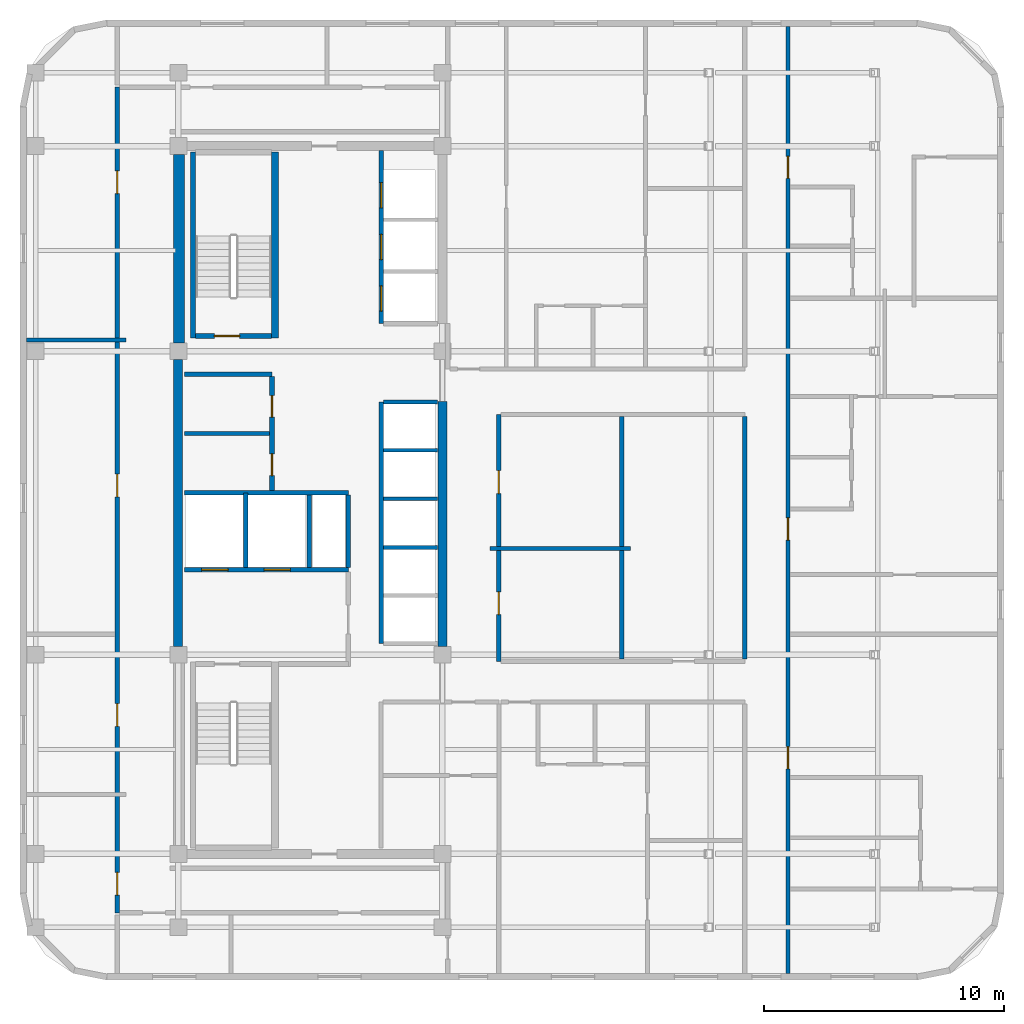
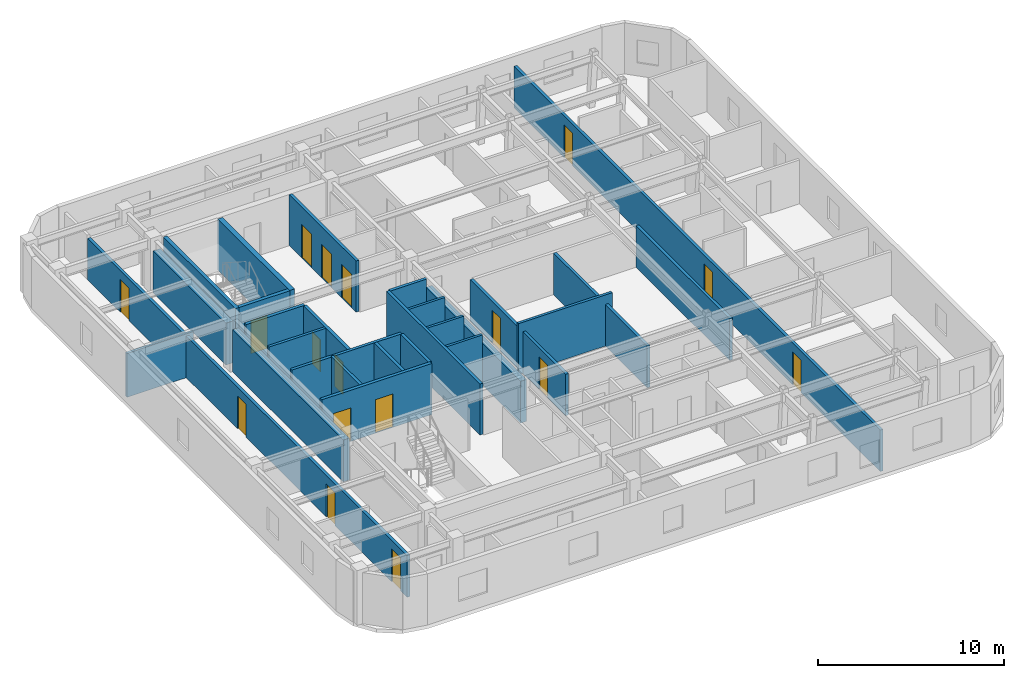
# One storey, part 4 of 8: 27 walls, 17 doors, 17 openings.
"""IFC4 building model written with IfcOpenShell, lengths in metres."""

from ifc_helpers import new_model, si_unit, direction, frame, frame_2d, origin, place, context, subcontext, project, spatial, rectangle, extrude, material, layer, layer_set, type_object, element, fill, save


model = new_model("IFC4")

# Units and contexts
model_context = context("Model", 3, precision=1e-05, world=origin(), true_north=direction((0.0, 1.0)))
body_context = subcontext(model_context, "Body", "Model", "MODEL_VIEW")
ifc_project = project(units=[si_unit("LENGTHUNIT", "METRE"), si_unit("AREAUNIT", "SQUARE_METRE"), si_unit("VOLUMEUNIT", "CUBIC_METRE"), si_unit("PLANEANGLEUNIT", "RADIAN"), si_unit("MASSUNIT", "GRAM", prefix="KILO")], contexts=[model_context])

# Site, building, storey
site_placement = place(None, origin())
site = spatial("IfcSite", under=ifc_project, at=site_placement, CompositionType="ELEMENT")
building_placement = place(site_placement, origin())
building = spatial("IfcBuilding", under=site, at=building_placement, Name="Ochreholt Gables", CompositionType="ELEMENT")
storey_placement = place(building_placement, frame((0.0, 0.0, 181.199951171875)))
storey = spatial("IfcBuildingStorey", under=building, at=storey_placement, Name="L47", CompositionType="ELEMENT", Elevation=181.199951171875)

# Walls
ifc_material_1 = material(Name="Concrete 50 MPa", Category="concrete")
ifc_layer_1 = layer(ifc_material_1, 0.3798828125, Name="Concrete 50 MPa")
ifc_layer_set_1 = layer_set([ifc_layer_1], Name="Concrete 50 MPa")
wall_type_1 = type_object("IfcWallType", Name="WALL-CSW-380", PredefinedType="SHEAR", material=ifc_layer_set_1)
wall_1_placement = place(storey_placement, frame((24.18994140625, 17.89990234375, 0.0), z_axis=(0.0, 0.0, 1.0), x_axis=(0.0, 1.0, 0.0)))
element("IfcWall", 1, at=wall_1_placement, inside=storey, type_object=wall_type_1, Name="L47 Core West Shear Wall WM", PredefinedType="SHEAR", context=body_context, shape_type="SweptSolid", body=[
    extrude(rectangle(XDim=11.9501953125, YDim=0.3798828125, at=frame_2d((5.97509765625, 0.0))), origin(), (0.0, 0.0, 1.0), 2.748046875),
])
wall_2_placement = place(storey_placement, frame((35.2099609375, 17.89990234375, 0.0), z_axis=(0.0, 0.0, 1.0), x_axis=(0.0, 1.0, 0.0)))
element("IfcWall", 2, at=wall_2_placement, inside=storey, type_object=wall_type_1, Name="L47 Core Central-East Shear Wall", PredefinedType="SHEAR", context=body_context, shape_type="SweptSolid", body=[
    extrude(rectangle(XDim=10.2001953125, YDim=0.3798828125, at=frame_2d((5.10009765625, 0.0))), origin(), (0.0, 0.0, 1.0), 2.748046875),
])
ifc_material_2 = material(Name="Concrete 60 MPa", Category="concrete")
ifc_layer_2 = layer(ifc_material_2, 0.449951171875, Name="Concrete 60 MPa")
ifc_layer_set_2 = layer_set([ifc_layer_2], Name="Concrete 60 MPa")
wall_type_2 = type_object("IfcWallType", Name="WALL-CSW-450", PredefinedType="SHEAR", material=ifc_layer_set_2)
wall_3_placement = place(storey_placement, frame((24.22509765625, 30.550048828125, 0.0), z_axis=(0.0, 0.0, 1.0), x_axis=(0.0, 1.0, 0.0)))
element("IfcWall", 3, at=wall_3_placement, inside=storey, type_object=wall_type_2, Name="L47 Core West Shear Wall WN", PredefinedType="SHEAR", context=body_context, shape_type="SweptSolid", body=[
    extrude(rectangle(XDim=7.849853515625, YDim=0.449951171875, at=frame_2d((3.9248046875, 0.0))), origin(), (0.0, 0.0, 1.0), 2.748046875),
])

# Wall, openings, doors
ifc_material_3 = material(Name="Concrete 40 MPa", Category="concrete")
ifc_layer_3 = layer(ifc_material_3, 0.199951171875, Name="Concrete 40 MPa")
ifc_layer_set_3 = layer_set([ifc_layer_3], Name="Concrete 40 MPa")
wall_type_3 = type_object("IfcWallType", Name="WALL-INT-CF200", PredefinedType="STANDARD", material=ifc_layer_set_3)
wall_4_placement = place(storey_placement, frame((24.449951171875, 21.090087890625, 0.0), z_axis=(0.0, 0.0, 1.0), x_axis=(1.0, 0.0, 0.0)))
wall_4 = element("IfcWall", 4, at=wall_4_placement, inside=storey, type_object=wall_type_3, Name="L47 Interior Wall WI-FFN-L47", PredefinedType="STANDARD", context=body_context, shape_type="SweptSolid", body=[
    extrude(rectangle(XDim=6.830078125, YDim=0.199951171875, at=frame_2d((3.4150390625, 0.0))), origin(), (0.0, 0.0, 1.0), 3.360107421875),
])
opening_1_placement = place(wall_4_placement, frame((0.719970703125, 0.0, 0.0)))
opening_1 = element("IfcOpeningElement", 5, at=opening_1_placement, cuts=wall_4, Name="Opening LD-FF", PredefinedType="OPENING", context=body_context, shape_type="SweptSolid", body=[
    extrude(rectangle(XDim=1.10009765625, YDim=2.199951171875, at=frame_2d((0.550048828125, 1.10009765625))), frame((0.0, 0.10986328125, 0.0), z_axis=(0.0, -1.0, 0.0), x_axis=(1.0, 0.0, 0.0)), (0.0, 0.0, 1.0), 0.219970703125),
])
opening_2_placement = place(wall_4_placement, frame((3.320068359375, 0.0, 0.0)))
opening_2 = element("IfcOpeningElement", 6, at=opening_2_placement, cuts=wall_4, Name="Opening LD-FF", PredefinedType="OPENING", context=body_context, shape_type="SweptSolid", body=[
    extrude(rectangle(XDim=1.10009765625, YDim=2.199951171875, at=frame_2d((0.550048828125, 1.10009765625))), frame((0.0, 0.10986328125, 0.0), z_axis=(0.0, -1.0, 0.0), x_axis=(1.0, 0.0, 0.0)), (0.0, 0.0, 1.0), 0.219970703125),
])
ifc_material_4 = material(Name="Stainless Steel", Category="steel")
door_type_1 = type_object("IfcDoorType", Name="DR-LFT-FF1100", OperationType="NOTDEFINED", PredefinedType="DOOR", material=ifc_material_4)
door_1_placement = place(opening_1_placement, origin())
door_1 = element("IfcDoor", 7, at=door_1_placement, inside=storey, type_object=door_type_1, Name="L47 Door LD-FF1-L47", OperationType="SLIDING_TO_LEFT", OverallHeight=2.199951171875, OverallWidth=1.10009765625, PredefinedType="DOOR", context=body_context, shape_type="SweptSolid", body=[
    extrude(rectangle(XDim=1.10009765625, YDim=2.199951171875, at=frame_2d((0.550048828125, 1.10009765625))), frame((0.0, 0.02490234375, 0.0), z_axis=(0.0, -1.0, 0.0), x_axis=(1.0, 0.0, 0.0)), (0.0, 0.0, 1.0), 0.050048828125),
])
fill(opening_1, door_1)
door_2_placement = place(opening_2_placement, origin())
door_2 = element("IfcDoor", 8, at=door_2_placement, inside=storey, type_object=door_type_1, Name="L47 Door LD-FF2-L47", OperationType="SLIDING_TO_LEFT", OverallHeight=2.199951171875, OverallWidth=1.10009765625, PredefinedType="DOOR", context=body_context, shape_type="SweptSolid", body=[
    extrude(rectangle(XDim=1.10009765625, YDim=2.199951171875, at=frame_2d((0.550048828125, 1.10009765625))), frame((0.0, 0.02490234375, 0.0), z_axis=(0.0, -1.0, 0.0), x_axis=(1.0, 0.0, 0.0)), (0.0, 0.0, 1.0), 0.050048828125),
])
fill(opening_2, door_2)

# Wall
wall_5_placement = place(storey_placement, frame((24.449951171875, 29.239990234375, 0.0), z_axis=(0.0, 0.0, 1.0), x_axis=(1.0, 0.0, 0.0)))
element("IfcWall", 9, at=wall_5_placement, inside=storey, type_object=wall_type_3, Name="L47 Interior Wall WI-SRVN-L47", PredefinedType="STANDARD", context=body_context, shape_type="SweptSolid", body=[
    extrude(rectangle(XDim=3.650146484375, YDim=0.199951171875, at=frame_2d((1.8251953125, 0.0))), origin(), (0.0, 0.0, 1.0), 3.360107421875),
])

# Wall, openings, doors
wall_6_placement = place(storey_placement, frame((28.10009765625, 24.389892578125, 0.0), z_axis=(0.0, 0.0, 1.0), x_axis=(0.0, 1.0, 0.0)))
wall_6 = element("IfcWall", 10, at=wall_6_placement, inside=storey, type_object=wall_type_3, Name="L47 Interior Wall WI-SRVE-L47", PredefinedType="STANDARD", context=body_context, shape_type="SweptSolid", body=[
    extrude(rectangle(XDim=4.75, YDim=0.199951171875, at=frame_2d((2.375, 0.0))), origin(), (0.0, 0.0, 1.0), 3.360107421875),
])
opening_3_placement = place(wall_6_placement, frame((0.6298828125, 0.0, 0.0)))
opening_3 = element("IfcOpeningElement", 11, at=opening_3_placement, cuts=wall_6, Name="Opening D-SV1", PredefinedType="OPENING", context=body_context, shape_type="SweptSolid", body=[
    extrude(rectangle(XDim=0.89990234375, YDim=2.10009765625, at=frame_2d((0.449951171875, 1.050048828125))), frame((0.0, 0.10986328125, 0.0), z_axis=(0.0, -1.0, 0.0), x_axis=(1.0, 0.0, 0.0)), (0.0, 0.0, 1.0), 0.219970703125),
])
opening_4_placement = place(wall_6_placement, frame((3.06005859375, 0.0, 0.0)))
opening_4 = element("IfcOpeningElement", 12, at=opening_4_placement, cuts=wall_6, Name="Opening D-SV1", PredefinedType="OPENING", context=body_context, shape_type="SweptSolid", body=[
    extrude(rectangle(XDim=0.89990234375, YDim=2.10009765625, at=frame_2d((0.449951171875, 1.050048828125))), frame((0.0, 0.10986328125, 0.0), z_axis=(0.0, -1.0, 0.0), x_axis=(1.0, 0.0, 0.0)), (0.0, 0.0, 1.0), 0.219970703125),
])
ifc_material_5 = material(Name="Hollow Metal Steel", Category="steel")
door_type_2 = type_object("IfcDoorType", Name="DR-INT-SRV900", OperationType="NOTDEFINED", PredefinedType="DOOR", material=ifc_material_5)
door_3_placement = place(opening_3_placement, origin())
door_3 = element("IfcDoor", 13, at=door_3_placement, inside=storey, type_object=door_type_2, Name="L47 Door D-SRV1-L47", OperationType="SINGLE_SWING_LEFT", OverallHeight=2.10009765625, OverallWidth=0.89990234375, PredefinedType="DOOR", context=body_context, shape_type="SweptSolid", body=[
    extrude(rectangle(XDim=0.89990234375, YDim=2.10009765625, at=frame_2d((0.449951171875, 1.050048828125))), frame((0.0, 0.02490234375, 0.0), z_axis=(0.0, -1.0, 0.0), x_axis=(1.0, 0.0, 0.0)), (0.0, 0.0, 1.0), 0.050048828125),
])
fill(opening_3, door_3)
door_4_placement = place(opening_4_placement, origin())
door_4 = element("IfcDoor", 14, at=door_4_placement, inside=storey, type_object=door_type_2, Name="L47 Door D-SRV2-L47", OperationType="SINGLE_SWING_RIGHT", OverallHeight=2.10009765625, OverallWidth=0.89990234375, PredefinedType="DOOR", context=body_context, shape_type="SweptSolid", body=[
    extrude(rectangle(XDim=0.89990234375, YDim=2.10009765625, at=frame_2d((0.449951171875, 1.050048828125))), frame((0.0, 0.02490234375, 0.0), z_axis=(0.0, -1.0, 0.0), x_axis=(1.0, 0.0, 0.0)), (0.0, 0.0, 1.0), 0.050048828125),
])
fill(opening_4, door_4)

ifc_material_6 = material(Name="Fire-Rated Gypsum Acoustic Partition", Category="gypsum")
ifc_layer_4 = layer(ifc_material_6, 0.179931640625, Name="Fire-Rated Gypsum Acoustic Partition")
ifc_layer_set_4 = layer_set([ifc_layer_4], Name="Fire-Rated Gypsum Acoustic Partition")
wall_type_4 = type_object("IfcWallType", Name="WALL-INT-CR180", PredefinedType="STANDARD", material=ifc_layer_set_4)
wall_7_placement = place(storey_placement, frame((37.550048828125, 17.280029296875, 0.0), z_axis=(0.0, 0.0, 1.0), x_axis=(0.0, 1.0, 0.0)))
wall_7 = element("IfcWall", 15, at=wall_7_placement, inside=storey, type_object=wall_type_4, Name="L47 Interior Wall WI-C2EM-L47", PredefinedType="STANDARD", context=body_context, shape_type="SweptSolid", body=[
    extrude(rectangle(XDim=10.280029296875, YDim=0.179931640625, at=frame_2d((5.14013671875, 0.0))), origin(), (0.0, 0.0, 1.0), 2.72998046875),
])
opening_5_placement = place(wall_7_placement, frame((1.93994140625, 0.0, 0.0)))
opening_5 = element("IfcOpeningElement", 16, at=opening_5_placement, cuts=wall_7, Name="Opening D-GN1", PredefinedType="OPENING", context=body_context, shape_type="SweptSolid", body=[
    extrude(rectangle(XDim=0.949951171875, YDim=2.14990234375, at=frame_2d((0.47509765625, 1.074951171875))), frame((0.0, 0.099853515625, 0.0), z_axis=(0.0, -1.0, 0.0), x_axis=(1.0, 0.0, 0.0)), (0.0, 0.0, 1.0), 0.199951171875),
])
opening_6_placement = place(wall_7_placement, frame((6.989990234375, 0.0, 0.0)))
opening_6 = element("IfcOpeningElement", 17, at=opening_6_placement, cuts=wall_7, Name="Opening D-GN1", PredefinedType="OPENING", context=body_context, shape_type="SweptSolid", body=[
    extrude(rectangle(XDim=0.949951171875, YDim=2.14990234375, at=frame_2d((0.47509765625, 1.074951171875))), frame((0.0, 0.099853515625, 0.0), z_axis=(0.0, -1.0, 0.0), x_axis=(1.0, 0.0, 0.0)), (0.0, 0.0, 1.0), 0.199951171875),
])
ifc_material_7 = material(Name="Engineered Oak Timber", Category="wood")
door_type_3 = type_object("IfcDoorType", Name="DR-INT-GEN950", OperationType="NOTDEFINED", PredefinedType="DOOR", material=ifc_material_7)
door_5_placement = place(opening_5_placement, origin())
door_5 = element("IfcDoor", 18, at=door_5_placement, inside=storey, type_object=door_type_3, Name="L47 Door D-U-L47M1A-ENT", OperationType="SINGLE_SWING_RIGHT", OverallHeight=2.14990234375, OverallWidth=0.949951171875, PredefinedType="DOOR", context=body_context, shape_type="SweptSolid", body=[
    extrude(rectangle(XDim=0.949951171875, YDim=2.14990234375, at=frame_2d((0.47509765625, 1.074951171875))), frame((0.0, 0.02490234375, 0.0), z_axis=(0.0, -1.0, 0.0), x_axis=(1.0, 0.0, 0.0)), (0.0, 0.0, 1.0), 0.050048828125),
])
fill(opening_5, door_5)
door_6_placement = place(opening_6_placement, origin())
door_6 = element("IfcDoor", 19, at=door_6_placement, inside=storey, type_object=door_type_3, Name="L47 Door D-U-L47M1B-ENT", OperationType="SINGLE_SWING_LEFT", OverallHeight=2.14990234375, OverallWidth=0.949951171875, PredefinedType="DOOR", context=body_context, shape_type="SweptSolid", body=[
    extrude(rectangle(XDim=0.949951171875, YDim=2.14990234375, at=frame_2d((0.47509765625, 1.074951171875))), frame((0.0, 0.02490234375, 0.0), z_axis=(0.0, -1.0, 0.0), x_axis=(1.0, 0.0, 0.0)), (0.0, 0.0, 1.0), 0.050048828125),
])
fill(opening_6, door_6)

wall_8_placement = place(storey_placement, frame((21.64990234375, 6.800048828125, 0.0), z_axis=(0.0, 0.0, 1.0), x_axis=(0.0, 1.0, 0.0)))
wall_8 = element("IfcWall", 20, at=wall_8_placement, inside=storey, type_object=wall_type_4, Name="L47 Interior Wall WI-C2WCW-L47", PredefinedType="STANDARD", context=body_context, shape_type="SweptSolid", body=[
    extrude(rectangle(XDim=34.39990234375, YDim=0.179931640625, at=frame_2d((17.199951171875, 0.0))), origin(), (0.0, 0.0, 1.0), 2.72998046875),
])
opening_7_placement = place(wall_8_placement, frame((0.732421875, 0.0, 0.0)))
opening_7 = element("IfcOpeningElement", 21, at=opening_7_placement, cuts=wall_8, Name="Opening D-GN1", PredefinedType="OPENING", context=body_context, shape_type="SweptSolid", body=[
    extrude(rectangle(XDim=0.949951171875, YDim=2.14990234375, at=frame_2d((0.47509765625, 1.074951171875))), frame((0.0, 0.099853515625, 0.0), z_axis=(0.0, -1.0, 0.0), x_axis=(1.0, 0.0, 0.0)), (0.0, 0.0, 1.0), 0.199951171875),
])
opening_8_placement = place(wall_8_placement, frame((7.767578125, 0.0, 0.0)))
opening_8 = element("IfcOpeningElement", 22, at=opening_8_placement, cuts=wall_8, Name="Opening D-GN1", PredefinedType="OPENING", context=body_context, shape_type="SweptSolid", body=[
    extrude(rectangle(XDim=0.949951171875, YDim=2.14990234375, at=frame_2d((0.47509765625, 1.074951171875))), frame((0.0, 0.099853515625, 0.0), z_axis=(0.0, -1.0, 0.0), x_axis=(1.0, 0.0, 0.0)), (0.0, 0.0, 1.0), 0.199951171875),
])
opening_9_placement = place(wall_8_placement, frame((17.33251953125, 0.0, 0.0)))
opening_9 = element("IfcOpeningElement", 23, at=opening_9_placement, cuts=wall_8, Name="Opening D-GN1", PredefinedType="OPENING", context=body_context, shape_type="SweptSolid", body=[
    extrude(rectangle(XDim=0.949951171875, YDim=2.14990234375, at=frame_2d((0.47509765625, 1.074951171875))), frame((0.0, 0.099853515625, 0.0), z_axis=(0.0, -1.0, 0.0), x_axis=(1.0, 0.0, 0.0)), (0.0, 0.0, 1.0), 0.199951171875),
])
opening_10_placement = place(wall_8_placement, frame((29.967529296875, 0.0, 0.0)))
opening_10 = element("IfcOpeningElement", 24, at=opening_10_placement, cuts=wall_8, Name="Opening D-GN1", PredefinedType="OPENING", context=body_context, shape_type="SweptSolid", body=[
    extrude(rectangle(XDim=0.949951171875, YDim=2.14990234375, at=frame_2d((0.47509765625, 1.074951171875))), frame((0.0, 0.099853515625, 0.0), z_axis=(0.0, -1.0, 0.0), x_axis=(1.0, 0.0, 0.0)), (0.0, 0.0, 1.0), 0.199951171875),
])
door_7_placement = place(opening_7_placement, origin())
door_7 = element("IfcDoor", 25, at=door_7_placement, inside=storey, type_object=door_type_3, Name="L47 Door D-U-L47W1A-ENT", OperationType="SINGLE_SWING_LEFT", OverallHeight=2.14990234375, OverallWidth=0.949951171875, PredefinedType="DOOR", context=body_context, shape_type="SweptSolid", body=[
    extrude(rectangle(XDim=0.949951171875, YDim=2.14990234375, at=frame_2d((0.47509765625, 1.074951171875))), frame((0.0, 0.02490234375, 0.0), z_axis=(0.0, -1.0, 0.0), x_axis=(1.0, 0.0, 0.0)), (0.0, 0.0, 1.0), 0.050048828125),
])
fill(opening_7, door_7)
door_8_placement = place(opening_8_placement, origin())
door_8 = element("IfcDoor", 26, at=door_8_placement, inside=storey, type_object=door_type_3, Name="L47 Door D-U-L47W1B-ENT", OperationType="SINGLE_SWING_RIGHT", OverallHeight=2.14990234375, OverallWidth=0.949951171875, PredefinedType="DOOR", context=body_context, shape_type="SweptSolid", body=[
    extrude(rectangle(XDim=0.949951171875, YDim=2.14990234375, at=frame_2d((0.47509765625, 1.074951171875))), frame((0.0, 0.02490234375, 0.0), z_axis=(0.0, -1.0, 0.0), x_axis=(1.0, 0.0, 0.0)), (0.0, 0.0, 1.0), 0.050048828125),
])
fill(opening_8, door_8)
door_9_placement = place(opening_9_placement, origin())
door_9 = element("IfcDoor", 27, at=door_9_placement, inside=storey, type_object=door_type_3, Name="L47 Door D-U-L47W2A-ENT", OperationType="SINGLE_SWING_RIGHT", OverallHeight=2.14990234375, OverallWidth=0.949951171875, PredefinedType="DOOR", context=body_context, shape_type="SweptSolid", body=[
    extrude(rectangle(XDim=0.949951171875, YDim=2.14990234375, at=frame_2d((0.47509765625, 1.074951171875))), frame((0.0, 0.02490234375, 0.0), z_axis=(0.0, -1.0, 0.0), x_axis=(1.0, 0.0, 0.0)), (0.0, 0.0, 1.0), 0.050048828125),
])
fill(opening_9, door_9)
door_10_placement = place(opening_10_placement, origin())
door_10 = element("IfcDoor", 28, at=door_10_placement, inside=storey, type_object=door_type_3, Name="L47 Door D-U-L47W2B-ENT", OperationType="SINGLE_SWING_LEFT", OverallHeight=2.14990234375, OverallWidth=0.949951171875, PredefinedType="DOOR", context=body_context, shape_type="SweptSolid", body=[
    extrude(rectangle(XDim=0.949951171875, YDim=2.14990234375, at=frame_2d((0.47509765625, 1.074951171875))), frame((0.0, 0.02490234375, 0.0), z_axis=(0.0, -1.0, 0.0), x_axis=(1.0, 0.0, 0.0)), (0.0, 0.0, 1.0), 0.050048828125),
])
fill(opening_10, door_10)

wall_9_placement = place(storey_placement, frame((49.60009765625, 4.280029296875, 0.0), z_axis=(0.0, 0.0, 1.0), x_axis=(0.0, 1.0, 0.0)))
wall_9 = element("IfcWall", 29, at=wall_9_placement, inside=storey, type_object=wall_type_4, Name="L47 Interior Wall WI-C2FEG-L47", PredefinedType="STANDARD", context=body_context, shape_type="SweptSolid", body=[
    extrude(rectangle(XDim=39.43994140625, YDim=0.179931640625, at=frame_2d((19.719970703125, 0.0))), origin(), (0.0, 0.0, 1.0), 2.72998046875),
])
opening_11_placement = place(wall_9_placement, frame((8.52001953125, 0.0, 0.0)))
opening_11 = element("IfcOpeningElement", 30, at=opening_11_placement, cuts=wall_9, Name="Opening D-UN1", PredefinedType="OPENING", context=body_context, shape_type="SweptSolid", body=[
    extrude(rectangle(XDim=0.919921875, YDim=2.14990234375, at=frame_2d((0.4599609375, 1.074951171875))), frame((0.0, 0.099853515625, 0.0), z_axis=(0.0, -1.0, 0.0), x_axis=(1.0, 0.0, 0.0)), (0.0, 0.0, 1.0), 0.199951171875),
])
opening_12_placement = place(wall_9_placement, frame((18.051513671875, 0.0, 0.0)))
opening_12 = element("IfcOpeningElement", 31, at=opening_12_placement, cuts=wall_9, Name="Opening D-UN1", PredefinedType="OPENING", context=body_context, shape_type="SweptSolid", body=[
    extrude(rectangle(XDim=0.919921875, YDim=2.14990234375, at=frame_2d((0.4599609375, 1.074951171875))), frame((0.0, 0.099853515625, 0.0), z_axis=(0.0, -1.0, 0.0), x_axis=(1.0, 0.0, 0.0)), (0.0, 0.0, 1.0), 0.199951171875),
])
opening_13_placement = place(wall_9_placement, frame((33.1201171875, 0.0, 0.0)))
opening_13 = element("IfcOpeningElement", 32, at=opening_13_placement, cuts=wall_9, Name="Opening D-UN1", PredefinedType="OPENING", context=body_context, shape_type="SweptSolid", body=[
    extrude(rectangle(XDim=0.919921875, YDim=2.14990234375, at=frame_2d((0.4599609375, 1.074951171875))), frame((0.0, 0.099853515625, 0.0), z_axis=(0.0, -1.0, 0.0), x_axis=(1.0, 0.0, 0.0)), (0.0, 0.0, 1.0), 0.199951171875),
])
door_type_4 = type_object("IfcDoorType", Name="DR-INT-UNT920", OperationType="NOTDEFINED", PredefinedType="DOOR", material=ifc_material_7)
door_11_placement = place(opening_11_placement, origin())
door_11 = element("IfcDoor", 33, at=door_11_placement, inside=storey, type_object=door_type_4, Name="L47 Door D-U-L47FE1-ENT", OperationType="SINGLE_SWING_RIGHT", OverallHeight=2.14990234375, OverallWidth=0.919921875, PredefinedType="DOOR", context=body_context, shape_type="SweptSolid", body=[
    extrude(rectangle(XDim=0.919921875, YDim=2.14990234375, at=frame_2d((0.4599609375, 1.074951171875))), frame((0.0, 0.02490234375, 0.0), z_axis=(0.0, -1.0, 0.0), x_axis=(1.0, 0.0, 0.0)), (0.0, 0.0, 1.0), 0.050048828125),
])
fill(opening_11, door_11)
door_12_placement = place(opening_12_placement, origin())
door_12 = element("IfcDoor", 34, at=door_12_placement, inside=storey, type_object=door_type_4, Name="L47 Door D-U-L47FE2-ENT", OperationType="SINGLE_SWING_LEFT", OverallHeight=2.14990234375, OverallWidth=0.919921875, PredefinedType="DOOR", context=body_context, shape_type="SweptSolid", body=[
    extrude(rectangle(XDim=0.919921875, YDim=2.14990234375, at=frame_2d((0.4599609375, 1.074951171875))), frame((0.0, 0.02490234375, 0.0), z_axis=(0.0, -1.0, 0.0), x_axis=(1.0, 0.0, 0.0)), (0.0, 0.0, 1.0), 0.050048828125),
])
fill(opening_12, door_12)
door_13_placement = place(opening_13_placement, origin())
door_13 = element("IfcDoor", 35, at=door_13_placement, inside=storey, type_object=door_type_4, Name="L47 Door D-U-L47FE3-ENT", OperationType="SINGLE_SWING_RIGHT", OverallHeight=2.14990234375, OverallWidth=0.919921875, PredefinedType="DOOR", context=body_context, shape_type="SweptSolid", body=[
    extrude(rectangle(XDim=0.919921875, YDim=2.14990234375, at=frame_2d((0.4599609375, 1.074951171875))), frame((0.0, 0.02490234375, 0.0), z_axis=(0.0, -1.0, 0.0), x_axis=(1.0, 0.0, 0.0)), (0.0, 0.0, 1.0), 0.050048828125),
])
fill(opening_13, door_13)

# Walls
wall_10_placement = place(storey_placement, frame((47.800048828125, 17.3701171875, 0.0), z_axis=(0.0, 0.0, 1.0), x_axis=(0.0, 1.0, 0.0)))
element("IfcWall", 36, at=wall_10_placement, inside=storey, type_object=wall_type_4, Name="L47 Interior Wall WI-C2FEGW2-L47", PredefinedType="STANDARD", context=body_context, shape_type="SweptSolid", body=[
    extrude(rectangle(XDim=10.099853515625, YDim=0.179931640625, at=frame_2d((5.0498046875, 0.0))), origin(), (0.0, 0.0, 1.0), 2.72998046875),
])
ifc_material_8 = material(Name="Double-Stud Acoustic Demising Wall", Category="gypsum")
ifc_layer_5 = layer(ifc_material_8, 0.179931640625, Name="Double-Stud Acoustic Demising Wall")
ifc_layer_set_5 = layer_set([ifc_layer_5], Name="Double-Stud Acoustic Demising Wall")
wall_type_5 = type_object("IfcWallType", Name="WALL-INT-DM180", PredefinedType="PARTITIONING", material=ifc_layer_set_5)
wall_11_placement = place(storey_placement, frame((42.675048828125, 17.3701171875, 0.0), z_axis=(0.0, 0.0, 1.0), x_axis=(0.0, 1.0, 0.0)))
element("IfcWall", 37, at=wall_11_placement, inside=storey, type_object=wall_type_5, Name="L47 Interior Wall WI-C2UDM-L47", PredefinedType="PARTITIONING", context=body_context, shape_type="SweptSolid", body=[
    extrude(rectangle(XDim=10.099853515625, YDim=0.179931640625, at=frame_2d((5.0498046875, 0.0))), origin(), (0.0, 0.0, 1.0), 2.72998046875),
])
ifc_material_9 = material(Name="Gypsum Acoustic Stud Partition", Category="gypsum")
ifc_layer_6 = layer(ifc_material_9, 0.1650390625, Name="Gypsum Acoustic Stud Partition")
ifc_layer_set_6 = layer_set([ifc_layer_6], Name="Gypsum Acoustic Stud Partition")
wall_type_6 = type_object("IfcWallType", Name="WALL-INT-PT165", PredefinedType="PARTITIONING", material=ifc_layer_set_6)
wall_12_placement = place(storey_placement, frame((24.449951171875, 26.780029296875, 0.0), z_axis=(0.0, 0.0, 1.0), x_axis=(1.0, 0.0, 0.0)))
element("IfcWall", 38, at=wall_12_placement, inside=storey, type_object=wall_type_6, Name="L47 Interior Wall WI-SRVP1-L47", PredefinedType="PARTITIONING", context=body_context, shape_type="SweptSolid", body=[
    extrude(rectangle(XDim=3.550048828125, YDim=0.1650390625, at=frame_2d((1.77490234375, 0.0))), origin(), (0.0, 0.0, 1.0), 3.360107421875),
])
wall_13_placement = place(storey_placement, frame((37.18994140625, 21.969970703125, 0.0), z_axis=(0.0, 0.0, 1.0), x_axis=(1.0, 0.0, 0.0)))
element("IfcWall", 39, at=wall_13_placement, inside=storey, type_object=wall_type_6, Name="L47 Interior Wall WU-L47M1-SDV", PredefinedType="PARTITIONING", context=body_context, shape_type="SweptSolid", body=[
    extrude(rectangle(XDim=5.844970703125, YDim=0.1650390625, at=frame_2d((2.92236328125, 0.0))), origin(), (0.0, 0.0, 1.0), 3.360107421875),
])
wall_14_placement = place(storey_placement, frame((17.8798828125, 30.675048828125, 0.0), z_axis=(0.0, 0.0, 1.0), x_axis=(1.0, 0.0, 0.0)))
element("IfcWall", 40, at=wall_14_placement, inside=storey, type_object=wall_type_6, Name="L47 Interior Wall WU-L47W2-SDV", PredefinedType="PARTITIONING", context=body_context, shape_type="SweptSolid", body=[
    extrude(rectangle(XDim=4.130126953125, YDim=0.1650390625, at=frame_2d((2.06494140625, 0.0))), origin(), (0.0, 0.0, 1.0), 2.879150390625),
])
ifc_material_10 = material(Name="Gypsum Shaftliner and Steel Stud", Category="steel")
ifc_layer_7 = layer(ifc_material_10, 0.14990234375, Name="Gypsum Shaftliner and Steel Stud")
ifc_layer_set_7 = layer_set([ifc_layer_7], Name="Gypsum Shaftliner and Steel Stud")
wall_type_7 = type_object("IfcWallType", Name="WALL-INT-SH150", PredefinedType="STANDARD", material=ifc_layer_set_7)
for number, where, z_axis, x_axis, name in (
    (41, (32.739990234375, 22.02001953125, 0.0), (0.0, 0.0, 1.0), (1.0, 0.0, 0.0), "L47 Interior Wall WI-LFHE-DH2-L47"),
    (42, (32.739990234375, 24.050048828125, 0.0), (0.0, 0.0, 1.0), (1.0, 0.0, 0.0), "L47 Interior Wall WI-LFHE-DHE-L47"),
    (43, (32.739990234375, 26.070068359375, 0.0), (0.0, 0.0, 1.0), (1.0, 0.0, 0.0), "L47 Interior Wall WI-LFHE-DEX1-L47"),
):
    element("IfcWall", number, at=place(storey_placement, frame(where, z_axis=z_axis, x_axis=x_axis)), inside=storey, type_object=wall_type_7, Name=name, PredefinedType="STANDARD", context=body_context, shape_type="SweptSolid", body=[
        extrude(rectangle(XDim=2.260009765625, YDim=0.14990234375, at=frame_2d((1.1298828125, 0.0))), origin(), (0.0, 0.0, 1.0), 3.360107421875),
    ])
ifc_layer_8 = layer(ifc_material_10, 0.179931640625, Name="Gypsum Shaftliner and Steel Stud")
ifc_layer_set_8 = layer_set([ifc_layer_8], Name="Gypsum Shaftliner and Steel Stud")
wall_type_8 = type_object("IfcWallType", Name="WALL-INT-SH180", PredefinedType="STANDARD", material=ifc_layer_set_8)
wall_15_placement = place(storey_placement, frame((27.0, 21.18994140625, 0.0), z_axis=(0.0, 0.0, 1.0), x_axis=(0.0, 1.0, 0.0)))
element("IfcWall", 44, at=wall_15_placement, inside=storey, type_object=wall_type_8, Name="L47 Interior Wall WI-FFDIV-L47", PredefinedType="STANDARD", context=body_context, shape_type="SweptSolid", body=[
    extrude(rectangle(XDim=3.110107421875, YDim=0.179931640625, at=frame_2d((1.55517578125, 0.0))), origin(), (0.0, 0.0, 1.0), 3.360107421875),
])
wall_16_placement = place(storey_placement, frame((24.449951171875, 24.300048828125, 0.0), z_axis=(0.0, 0.0, 1.0), x_axis=(1.0, 0.0, 0.0)))
element("IfcWall", 45, at=wall_16_placement, inside=storey, type_object=wall_type_8, Name="L47 Interior Wall WI-FFBK-L47", PredefinedType="STANDARD", context=body_context, shape_type="SweptSolid", body=[
    extrude(rectangle(XDim=6.830078125, YDim=0.179931640625, at=frame_2d((3.4150390625, 0.0))), origin(), (0.0, 0.0, 1.0), 3.360107421875),
])
for number, where, z_axis, x_axis, name in (
    (46, (29.64990234375, 21.18994140625, 0.0), (0.0, 0.0, 1.0), (0.0, 1.0, 0.0), "L47 Interior Wall WI-FFSH-L47"),
    (47, (31.280029296875, 21.18994140625, 0.0), (0.0, 0.0, 1.0), (0.0, 1.0, 0.0), "L47 Interior Wall WI-RSE-L47"),
):
    element("IfcWall", number, at=place(storey_placement, frame(where, z_axis=z_axis, x_axis=x_axis)), inside=storey, type_object=wall_type_8, Name=name, PredefinedType="STANDARD", context=body_context, shape_type="SweptSolid", body=[
        extrude(rectangle(XDim=3.02001953125, YDim=0.179931640625, at=frame_2d((1.510009765625, 0.0))), origin(), (0.0, 0.0, 1.0), 3.360107421875),
    ])
wall_17_placement = place(storey_placement, frame((32.64990234375, 18.02001953125, 0.0), z_axis=(0.0, 0.0, 1.0), x_axis=(0.0, 1.0, 0.0)))
element("IfcWall", 48, at=wall_17_placement, inside=storey, type_object=wall_type_8, Name="L47 Interior Wall WI-LFHE-FR-L47", PredefinedType="STANDARD", context=body_context, shape_type="SweptSolid", body=[
    extrude(rectangle(XDim=10.06005859375, YDim=0.179931640625, at=frame_2d((5.030029296875, 0.0))), origin(), (0.0, 0.0, 1.0), 3.360107421875),
])
wall_18_placement = place(storey_placement, frame((32.739990234375, 28.080078125, 0.0), z_axis=(0.0, 0.0, 1.0), x_axis=(1.0, 0.0, 0.0)))
element("IfcWall", 49, at=wall_18_placement, inside=storey, type_object=wall_type_8, Name="L47 Interior Wall WI-LFHE-N-L47", PredefinedType="STANDARD", context=body_context, shape_type="SweptSolid", body=[
    extrude(rectangle(XDim=2.260009765625, YDim=0.179931640625, at=frame_2d((1.1298828125, 0.0))), origin(), (0.0, 0.0, 1.0), 3.360107421875),
])

# Wall, openings, doors
wall_19_placement = place(storey_placement, frame((32.64990234375, 31.35009765625, 0.0), z_axis=(0.0, 0.0, 1.0), x_axis=(0.0, 1.0, 0.0)))
wall_19 = element("IfcWall", 50, at=wall_19_placement, inside=storey, type_object=wall_type_8, Name="L47 Interior Wall WI-LFM-FR-L47", PredefinedType="STANDARD", context=body_context, shape_type="SweptSolid", body=[
    extrude(rectangle(XDim=7.2099609375, YDim=0.179931640625, at=frame_2d((3.60498046875, 0.0))), origin(), (0.0, 0.0, 1.0), 3.360107421875),
])
opening_14_placement = place(wall_19_placement, frame((0.52001953125, 0.0, 0.0)))
opening_14 = element("IfcOpeningElement", 51, at=opening_14_placement, cuts=wall_19, Name="Opening LD-PX", PredefinedType="OPENING", context=body_context, shape_type="SweptSolid", body=[
    extrude(rectangle(XDim=1.050048828125, YDim=2.199951171875, at=frame_2d((0.52490234375, 1.10009765625))), frame((0.0, 0.099853515625, 0.0), z_axis=(0.0, -1.0, 0.0), x_axis=(1.0, 0.0, 0.0)), (0.0, 0.0, 1.0), 0.199951171875),
])
opening_15_placement = place(wall_19_placement, frame((2.669921875, 0.0, 0.0)))
opening_15 = element("IfcOpeningElement", 52, at=opening_15_placement, cuts=wall_19, Name="Opening LD-PX", PredefinedType="OPENING", context=body_context, shape_type="SweptSolid", body=[
    extrude(rectangle(XDim=1.050048828125, YDim=2.199951171875, at=frame_2d((0.52490234375, 1.10009765625))), frame((0.0, 0.099853515625, 0.0), z_axis=(0.0, -1.0, 0.0), x_axis=(1.0, 0.0, 0.0)), (0.0, 0.0, 1.0), 0.199951171875),
])
opening_16_placement = place(wall_19_placement, frame((4.820068359375, 0.0, 0.0)))
opening_16 = element("IfcOpeningElement", 53, at=opening_16_placement, cuts=wall_19, Name="Opening LD-PX", PredefinedType="OPENING", context=body_context, shape_type="SweptSolid", body=[
    extrude(rectangle(XDim=1.050048828125, YDim=2.199951171875, at=frame_2d((0.52490234375, 1.10009765625))), frame((0.0, 0.099853515625, 0.0), z_axis=(0.0, -1.0, 0.0), x_axis=(1.0, 0.0, 0.0)), (0.0, 0.0, 1.0), 0.199951171875),
])
door_type_5 = type_object("IfcDoorType", Name="DR-LFT-PX1050", OperationType="NOTDEFINED", PredefinedType="DOOR", material=ifc_material_4)
door_14_placement = place(opening_14_placement, origin())
door_14 = element("IfcDoor", 54, at=door_14_placement, inside=storey, type_object=door_type_5, Name="L47 Door LD-M1-L47", OperationType="SLIDING_TO_LEFT", OverallHeight=2.199951171875, OverallWidth=1.050048828125, PredefinedType="DOOR", context=body_context, shape_type="SweptSolid", body=[
    extrude(rectangle(XDim=1.050048828125, YDim=2.199951171875, at=frame_2d((0.52490234375, 1.10009765625))), frame((0.0, 0.02490234375, 0.0), z_axis=(0.0, -1.0, 0.0), x_axis=(1.0, 0.0, 0.0)), (0.0, 0.0, 1.0), 0.050048828125),
])
fill(opening_14, door_14)
door_15_placement = place(opening_15_placement, origin())
door_15 = element("IfcDoor", 55, at=door_15_placement, inside=storey, type_object=door_type_5, Name="L47 Door LD-M2-L47", OperationType="SLIDING_TO_LEFT", OverallHeight=2.199951171875, OverallWidth=1.050048828125, PredefinedType="DOOR", context=body_context, shape_type="SweptSolid", body=[
    extrude(rectangle(XDim=1.050048828125, YDim=2.199951171875, at=frame_2d((0.52490234375, 1.10009765625))), frame((0.0, 0.02490234375, 0.0), z_axis=(0.0, -1.0, 0.0), x_axis=(1.0, 0.0, 0.0)), (0.0, 0.0, 1.0), 0.050048828125),
])
fill(opening_15, door_15)
door_16_placement = place(opening_16_placement, origin())
door_16 = element("IfcDoor", 56, at=door_16_placement, inside=storey, type_object=door_type_5, Name="L47 Door LD-M3-L47", OperationType="SLIDING_TO_LEFT", OverallHeight=2.199951171875, OverallWidth=1.050048828125, PredefinedType="DOOR", context=body_context, shape_type="SweptSolid", body=[
    extrude(rectangle(XDim=1.050048828125, YDim=2.199951171875, at=frame_2d((0.52490234375, 1.10009765625))), frame((0.0, 0.02490234375, 0.0), z_axis=(0.0, -1.0, 0.0), x_axis=(1.0, 0.0, 0.0)), (0.0, 0.0, 1.0), 0.050048828125),
])
fill(opening_16, door_16)

# Walls
ifc_layer_9 = layer(ifc_material_2, 0.300048828125, Name="Concrete 60 MPa")
ifc_layer_set_9 = layer_set([ifc_layer_9], Name="Concrete 60 MPa")
wall_type_9 = type_object("IfcWallType", Name="WALL-SPN-300", PredefinedType="SHEAR", material=ifc_layer_set_9)
wall_20_placement = place(storey_placement, frame((28.22998046875, 30.739990234375, 0.0), z_axis=(0.0, 0.0, 1.0), x_axis=(0.0, 1.0, 0.0)))
element("IfcWall", 57, at=wall_20_placement, inside=storey, type_object=wall_type_9, Name="L47 Core North Spine Shear Wall", PredefinedType="SHEAR", context=body_context, shape_type="SweptSolid", body=[
    extrude(rectangle(XDim=7.760009765625, YDim=0.300048828125, at=frame_2d((3.8798828125, 0.0))), origin(), (0.0, 0.0, 1.0), 3.360107421875),
])
ifc_layer_10 = layer(ifc_material_1, 0.219970703125, Name="Concrete 50 MPa")
ifc_layer_set_10 = layer_set([ifc_layer_10], Name="Concrete 50 MPa")
wall_type_10 = type_object("IfcWallType", Name="WALL-STW-220", PredefinedType="SHEAR", material=ifc_layer_set_10)
wall_21_placement = place(storey_placement, frame((24.81005859375, 30.739990234375, 0.0), z_axis=(0.0, 0.0, 1.0), x_axis=(0.0, 1.0, 0.0)))
element("IfcWall", 58, at=wall_21_placement, inside=storey, type_object=wall_type_10, Name="L47 Exit Stair 2 West Wall", PredefinedType="SHEAR", context=body_context, shape_type="SweptSolid", body=[
    extrude(rectangle(XDim=7.760009765625, YDim=0.219970703125, at=frame_2d((3.8798828125, 0.0))), origin(), (0.0, 0.0, 1.0), 3.360107421875),
])

# Wall, opening, door
wall_22_placement = place(storey_placement, frame((24.919921875, 30.830078125, 0.0), z_axis=(0.0, 0.0, 1.0), x_axis=(1.0, 0.0, 0.0)))
wall_22 = element("IfcWall", 59, at=wall_22_placement, inside=storey, type_object=wall_type_10, Name="L47 Exit Stair 2 South Wall", PredefinedType="SHEAR", context=body_context, shape_type="SweptSolid", body=[
    extrude(rectangle(XDim=3.16015625, YDim=0.219970703125, at=frame_2d((1.580078125, 0.0))), origin(), (0.0, 0.0, 1.0), 3.360107421875),
])
opening_17_placement = place(wall_22_placement, frame((0.780029296875, 0.0, 0.0)))
opening_17 = element("IfcOpeningElement", 60, at=opening_17_placement, cuts=wall_22, Name="Opening D-STC", PredefinedType="OPENING", context=body_context, shape_type="SweptSolid", body=[
    extrude(rectangle(XDim=1.050048828125, YDim=2.14990234375, at=frame_2d((0.52490234375, 1.074951171875))), frame((0.0, 0.119873046875, 0.0), z_axis=(0.0, -1.0, 0.0), x_axis=(1.0, 0.0, 0.0)), (0.0, 0.0, 1.0), 0.239990234375),
])
door_type_6 = type_object("IfcDoorType", Name="DR-INT-ST1050", OperationType="NOTDEFINED", PredefinedType="DOOR", material=ifc_material_5)
door_17_placement = place(opening_17_placement, origin())
door_17 = element("IfcDoor", 61, at=door_17_placement, inside=storey, type_object=door_type_6, Name="L47 Door D-ST2-L47", OperationType="SINGLE_SWING_RIGHT", OverallHeight=2.14990234375, OverallWidth=1.050048828125, PredefinedType="DOOR", context=body_context, shape_type="SweptSolid", body=[
    extrude(rectangle(XDim=1.050048828125, YDim=2.14990234375, at=frame_2d((0.52490234375, 1.074951171875))), frame((0.0, 0.02490234375, 0.0), z_axis=(0.0, -1.0, 0.0), x_axis=(1.0, 0.0, 0.0)), (0.0, 0.0, 1.0), 0.050048828125),
])
fill(opening_17, door_17)

save(model, "model.ifc")
